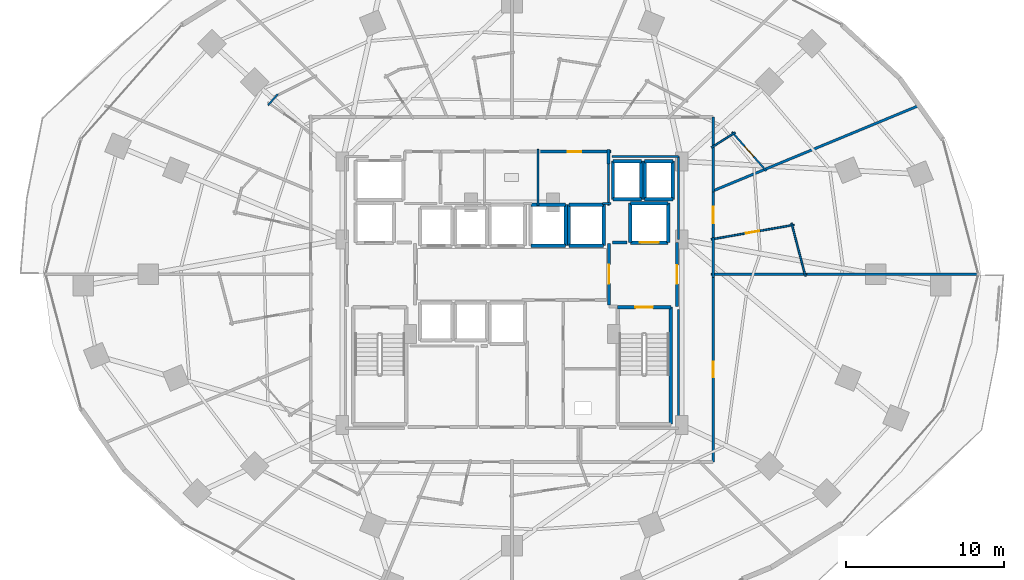
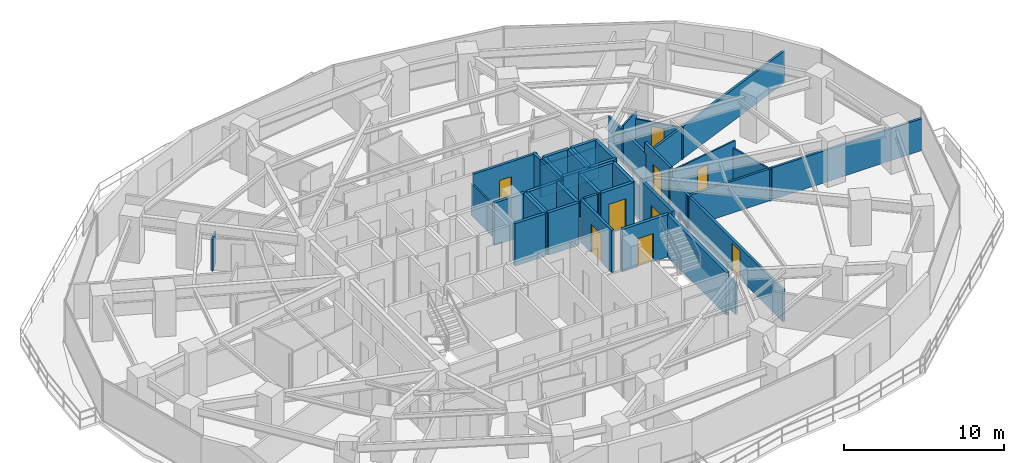
# One storey, part 30 of 36: 45 walls, 9 doors, 9 openings.
"""IFC4 building model written with IfcOpenShell, lengths in metres."""

import ifcopenshell
import ifcopenshell.guid

model = None  # the IFC model being written
_history = None  # IfcOwnerHistory: only IFC2X3 demands one
_inside = {}  # id of a spatial element -> (the spatial element, [elements in it])
_under = {}  # id of a project, library or spatial element -> (it, [spatial elements below it])
_declared = {}  # id of a project -> (the project, [libraries it declares])
_typed = {}  # id of a type object -> (the type object, [elements of that type])
_made_of = {}  # id of a material, layer set ... -> (it, [elements and type objects made of it])


def new_model(schema):
    """Start an empty IFC model of exactly this schema.

    Asked for "IFC4X3", IfcOpenShell would pick the latest addendum, in which some entities
    have other attributes; the version numbers below select the first issue.
    IFC2X3 requires an IfcOwnerHistory on every rooted entity: one is made here for all.
    """
    global model, _history
    if schema == "IFC4X3":
        model = ifcopenshell.file(schema_version=(4, 3, 0, 0))
    else:
        model = ifcopenshell.file(schema=schema)
    _inside.clear()
    _under.clear()
    _declared.clear()
    _typed.clear()
    _made_of.clear()
    _history = None
    if model.schema == "IFC2X3":
        org = make("IfcOrganization", Name="unknown")
        user = make(
            "IfcPersonAndOrganization",
            ThePerson=make("IfcPerson", FamilyName="unknown"),
            TheOrganization=org,
        )
        app = make(
            "IfcApplication",
            ApplicationDeveloper=org,
            Version="unknown",
            ApplicationFullName="unknown",
            ApplicationIdentifier="unknown",
        )
        _history = make(
            "IfcOwnerHistory",
            OwningUser=user,
            OwningApplication=app,
            ChangeAction="ADDED",
            CreationDate=0,
        )
    return model


def make(cls, **values):
    """One entity of the class cls with the attributes given. An attribute that is None is left unset."""
    return model.create_entity(
        cls, **{name: value for name, value in values.items() if value is not None}
    )


def rooted(cls, **values):
    """An entity with a GlobalId (a new one), such as an element, a storey or a relation."""
    return make(cls, GlobalId=ifcopenshell.guid.new(), OwnerHistory=_history, **values)


def si_unit(unit_type, name, prefix=None):
    """IfcSIUnit, for example si_unit("LENGTHUNIT", "METRE", prefix="MILLI")."""
    return make("IfcSIUnit", UnitType=unit_type, Prefix=prefix, Name=name)


def assignment(units):
    """IfcUnitAssignment: the units of a project."""
    return None if units is None else make("IfcUnitAssignment", Units=units)


def point(xyz):
    """IfcCartesianPoint."""
    return None if xyz is None else make("IfcCartesianPoint", Coordinates=xyz)


def direction(xyz):
    """IfcDirection."""
    return None if xyz is None else make("IfcDirection", DirectionRatios=xyz)


def frame(location, z_axis=None, x_axis=None):
    """IfcAxis2Placement3D, a coordinate frame: its origin and axes. An axis left out is left unset."""
    return make(
        "IfcAxis2Placement3D",
        Location=point(location),
        Axis=direction(z_axis),
        RefDirection=direction(x_axis),
    )


def frame_2d(location, x_axis=None):
    """IfcAxis2Placement2D, a coordinate frame in the plane: its origin and x axis."""
    return make(
        "IfcAxis2Placement2D", Location=point(location), RefDirection=direction(x_axis)
    )


def origin():
    """The frame at (0, 0, 0) with its axes left unset."""
    return frame((0.0, 0.0, 0.0))


def place(relative_to, where):
    """IfcLocalPlacement: puts the frame where relative to a parent placement (None: the world)."""
    return make(
        "IfcLocalPlacement", PlacementRelTo=relative_to, RelativePlacement=where
    )


def context(
    kind, dimensions, precision=None, world=None, true_north=None, identifier=None
):
    """IfcGeometricRepresentationContext, for example the 3D "Model" context."""
    return make(
        "IfcGeometricRepresentationContext",
        ContextIdentifier=identifier,
        ContextType=kind,
        CoordinateSpaceDimension=dimensions,
        Precision=precision,
        WorldCoordinateSystem=world,
        TrueNorth=true_north,
    )


def subcontext(parent, identifier, kind, view, scale=None):
    """IfcGeometricRepresentationSubContext, for example "Body" below "Model"."""
    return make(
        "IfcGeometricRepresentationSubContext",
        ContextIdentifier=identifier,
        ContextType=kind,
        ParentContext=parent,
        TargetScale=scale,
        TargetView=view,
    )


def project(units=None, contexts=None):
    """IfcProject with its units and contexts."""
    return rooted(
        "IfcProject",
        Name="project",
        RepresentationContexts=contexts,
        UnitsInContext=assignment(units),
    )


def spatial(cls, under=None, at=None, **own):
    """A site, building, storey or space (cls), placed at a placement, below another one or the project."""
    s = rooted(cls, ObjectPlacement=at, **own)
    if under is not None:
        _under.setdefault(under.id(), (under, []))[1].append(s)
    return s


def profile(cls, at=None, kind="AREA", **sizes):
    """A parametric profile (cls). Its sizes go by their IFC names, for example OverallWidth=200.0."""
    return make(cls, ProfileType=kind, Position=at, **sizes)


def rectangle(**sizes):
    """IfcRectangleProfileDef."""
    return profile("IfcRectangleProfileDef", **sizes)


def extrude(swept, where, along, depth):
    """IfcExtrudedAreaSolid: the profile swept, set in the frame where, extruded along a direction by depth."""
    return make(
        "IfcExtrudedAreaSolid",
        SweptArea=swept,
        Position=where,
        ExtrudedDirection=direction(along),
        Depth=depth,
    )


def shape(context_of_items, identifier, shape_type, items):
    """IfcShapeRepresentation: the items that make up one representation, for example the "Body"."""
    return make(
        "IfcShapeRepresentation",
        ContextOfItems=context_of_items,
        RepresentationIdentifier=identifier,
        RepresentationType=shape_type,
        Items=items,
    )


def material(Name=None, Category=None):
    """IfcMaterial."""
    return make("IfcMaterial", Name=Name, Category=Category)


def layer(
    of_material, thickness, ventilated=None, Name=None, Category=None, Priority=None
):
    """IfcMaterialLayer: one layer of a wall or slab, of a material (None: an air gap)."""
    return make(
        "IfcMaterialLayer",
        Material=of_material,
        LayerThickness=thickness,
        IsVentilated=ventilated,
        Name=Name,
        Category=Category,
        Priority=Priority,
    )


def layer_set(layers, Name=None):
    """IfcMaterialLayerSet."""
    return make("IfcMaterialLayerSet", MaterialLayers=layers, LayerSetName=Name)


def made_of(thing, what):
    """Note that an element or type object is made of a material, layer set ...; save() writes the relation."""
    if what is not None:
        _made_of.setdefault(what.id(), (what, []))[1].append(thing)
    return thing


def type_object(cls, material=None, **own):
    """A type object (cls), such as IfcWallType, which elements share."""
    return made_of(rooted(cls, **own), material)


def element(
    cls,
    number,
    at=None,
    inside=None,
    cuts=None,
    type_object=None,
    material=None,
    context=None,
    identifier="Body",
    shape_type=None,
    held_by="IfcProductDefinitionShape",
    body=None,
    shapes=None,
    **own,
):
    """One element of the class cls, such as IfcWall. Its Tag is "e" and its number.

    at: its placement. inside: the storey or other place that contains it. cuts: it is an
    opening in that element (IfcRelVoidsElement). A single representation is given by context,
    identifier, shape_type and body (its items); several are given by shapes. held_by: the class
    of the entity that holds the representations. save() writes the other relations.
    """
    e = rooted(cls, Tag="e%d" % number, ObjectPlacement=at, **own)
    if body is not None:
        shapes = [shape(context, identifier, shape_type, body)]
    if shapes is not None:
        e.Representation = make(held_by, Representations=shapes)
    if inside is not None:
        _inside.setdefault(inside.id(), (inside, []))[1].append(e)
    if cuts is not None:
        rooted(
            "IfcRelVoidsElement", RelatingBuildingElement=cuts, RelatedOpeningElement=e
        )
    if type_object is not None:
        _typed.setdefault(type_object.id(), (type_object, []))[1].append(e)
    return made_of(e, material)


def fill(opening, filler):
    """IfcRelFillsElement: the door or window that sits in an opening."""
    return rooted(
        "IfcRelFillsElement",
        RelatingOpeningElement=opening,
        RelatedBuildingElement=filler,
    )


def aggregate(whole, parts):
    """IfcRelAggregates: a whole, such as a stair, and the parts it consists of."""
    return rooted("IfcRelAggregates", RelatingObject=whole, RelatedObjects=parts)


def save(model, path):
    """Write the relations noted so far, then the file.

    IfcRelAggregates (storeys below a building ...), IfcRelContainedInSpatialStructure (elements
    in a storey), IfcRelDefinesByType, IfcRelAssociatesMaterial and IfcRelDeclares: one each for
    every whole, place, type object, material and project.
    """
    for whole, parts in _under.values():
        aggregate(whole, parts)
    for where, things in _inside.values():
        rooted(
            "IfcRelContainedInSpatialStructure",
            RelatedElements=things,
            RelatingStructure=where,
        )
    for kind, things in _typed.values():
        rooted("IfcRelDefinesByType", RelatedObjects=things, RelatingType=kind)
    for what, things in _made_of.values():
        rooted("IfcRelAssociatesMaterial", RelatedObjects=things, RelatingMaterial=what)
    for by, libraries in _declared.values():
        rooted("IfcRelDeclares", RelatingContext=by, RelatedDefinitions=libraries)
    model.write(path)


model = new_model("IFC4")

# Units and contexts
model_context = context("Model", 3, precision=1e-05, world=origin(), true_north=direction((0.0, 1.0)))
body_context = subcontext(model_context, "Body", "Model", "MODEL_VIEW")
ifc_project = project(units=[si_unit("LENGTHUNIT", "METRE"), si_unit("AREAUNIT", "SQUARE_METRE"), si_unit("VOLUMEUNIT", "CUBIC_METRE"), si_unit("PLANEANGLEUNIT", "RADIAN"), si_unit("MASSUNIT", "GRAM", prefix="KILO")], contexts=[model_context])

# Site, building, storey
site_placement = place(None, origin())
site = spatial("IfcSite", under=ifc_project, at=site_placement, CompositionType="ELEMENT")
building_placement = place(site_placement, origin())
building = spatial("IfcBuilding", under=site, at=building_placement, Name="Vorneva Point Tower", CompositionType="ELEMENT")
storey_placement = place(building_placement, frame((0.0, 0.0, 24.0)))
storey = spatial("IfcBuildingStorey", under=building, at=storey_placement, Name="L05", CompositionType="ELEMENT", Elevation=24.0)

# Wall, opening, door
ifc_material_1 = material(Name="Concrete B60 (C50/60)", Category="concrete")
ifc_layer_1 = layer(ifc_material_1, 0.5)
ifc_layer_set_1 = layer_set([ifc_layer_1], Name="Concrete B60 (C50/60)")
wall_type_1 = type_object("IfcWallType", Name="WL-CORE-500", PredefinedType="SHEAR", material=ifc_layer_set_1)
wall_1_placement = place(storey_placement, frame((45.5, 28.0, 0.0), z_axis=(0.0, 0.0, 1.0), x_axis=(1.0, 0.0, 0.0)))
wall_1 = element("IfcWall", 1, at=wall_1_placement, inside=storey, type_object=wall_type_1, Name="L05 Lift FFL2 Shaft Wall -Y", PredefinedType="SHEAR", context=body_context, shape_type="SweptSolid", body=[
    extrude(rectangle(XDim=2.39990234375, YDim=0.219970703125, at=frame_2d((1.199951171875, 0.0))), origin(), (0.0, 0.0, 1.0), 3.239990234375),
])
opening_1_placement = place(wall_1_placement, frame((0.60009765625, 0.0, 0.0)))
opening_1 = element("IfcOpeningElement", 2, at=opening_1_placement, cuts=wall_1, Name="Opening LD-02", PredefinedType="OPENING", context=body_context, shape_type="SweptSolid", body=[
    extrude(rectangle(XDim=1.199951171875, YDim=2.199951171875, at=frame_2d((0.60009765625, 1.10009765625))), frame((0.0, 0.125, 0.0), z_axis=(0.0, -1.0, 0.0), x_axis=(1.0, 0.0, 0.0)), (0.0, 0.0, 1.0), 0.249755859375),
])
ifc_material_2 = material(Name="Brushed stainless steel S304", Category="steel")
door_type_1 = type_object("IfcDoorType", Name="LD-FIRE-1200", OperationType="SLIDING_TO_LEFT", PredefinedType="DOOR", material=ifc_material_2)
door_1_placement = place(opening_1_placement, origin())
door_1 = element("IfcDoor", 3, at=door_1_placement, inside=storey, type_object=door_type_1, Name="L05 Lift FFL2 Sliding Landing Door", OperationType="SLIDING_TO_LEFT", OverallHeight=2.199951171875, OverallWidth=1.199951171875, PredefinedType="DOOR", context=body_context, shape_type="SweptSolid", body=[
    extrude(rectangle(XDim=1.199951171875, YDim=2.199951171875, at=frame_2d((0.60009765625, 1.10009765625))), frame((0.0, 0.02490234375, 0.0), z_axis=(0.0, -1.0, 0.0), x_axis=(1.0, 0.0, 0.0)), (0.0, 0.0, 1.0), 0.050048828125),
])
fill(opening_1, door_1)

# Walls
wall_2_placement = place(storey_placement, frame((47.89990234375, 28.0, 0.0), z_axis=(0.0, 0.0, 1.0), x_axis=(0.0, 1.0, 0.0)))
element("IfcWall", 4, at=wall_2_placement, inside=storey, type_object=wall_type_1, Name="L05 Lift FFL2 Shaft Wall +X", PredefinedType="SHEAR", context=body_context, shape_type="SweptSolid", body=[
    extrude(rectangle(XDim=2.5, YDim=0.219970703125, at=frame_2d((1.25, 0.0))), origin(), (0.0, 0.0, 1.0), 3.239990234375),
])
wall_3_placement = place(storey_placement, frame((47.89990234375, 30.5, 0.0), z_axis=(0.0, 0.0, 1.0), x_axis=(-1.0, 0.0, 0.0)))
element("IfcWall", 5, at=wall_3_placement, inside=storey, type_object=wall_type_1, Name="L05 Lift FFL2 Shaft Wall +Y", PredefinedType="SHEAR", context=body_context, shape_type="SweptSolid", body=[
    extrude(rectangle(XDim=2.39990234375, YDim=0.219970703125, at=frame_2d((1.199951171875, 0.0))), origin(), (0.0, 0.0, 1.0), 3.239990234375),
])
wall_4_placement = place(storey_placement, frame((45.5, 30.5, 0.0), z_axis=(0.0, 0.0, 1.0), x_axis=(0.0, -1.0, 0.0)))
element("IfcWall", 6, at=wall_4_placement, inside=storey, type_object=wall_type_1, Name="L05 Lift FFL2 Shaft Wall -X", PredefinedType="SHEAR", context=body_context, shape_type="SweptSolid", body=[
    extrude(rectangle(XDim=2.5, YDim=0.219970703125, at=frame_2d((1.25, 0.0))), origin(), (0.0, 0.0, 1.0), 3.239990234375),
])
ifc_material_3 = material(Name="Fire-rated acoustic gypsum stud partition", Category="gypsum")
ifc_layer_2 = layer(ifc_material_3, 0.110107421875)
ifc_layer_set_2 = layer_set([ifc_layer_2], Name="Fire-rated acoustic gypsum stud partition")
wall_type_2 = type_object("IfcWallType", Name="WL-PART-110", PredefinedType="PARTITIONING", material=ifc_layer_set_2)
wall_5_placement = place(storey_placement, frame((39.64990234375, 30.340087890625, 0.0), z_axis=(0.0, 0.0, 1.0), x_axis=(0.0, 1.0, 0.0)))
element("IfcWall", 7, at=wall_5_placement, inside=storey, type_object=wall_type_2, Name="L05 Interior Partition 019", PredefinedType="PARTITIONING", context=body_context, shape_type="SweptSolid", body=[
    extrude(rectangle(XDim=3.559814453125, YDim=0.110107421875, at=frame_2d((1.77978515625, 0.0))), origin(), (0.0, 0.0, 1.0), 2.431884765625),
])
wall_6_placement = place(storey_placement, frame((55.70947265625, 29.232421875, 0.0), z_axis=(0.0, 0.0, 1.0), x_axis=(0.254476045764, -0.967079077497, 0.0)))
element("IfcWall", 8, at=wall_6_placement, inside=storey, type_object=wall_type_2, Name="L05 Interior Partition 059", PredefinedType="PARTITIONING", context=body_context, shape_type="SweptSolid", body=[
    extrude(rectangle(XDim=3.482666015625, YDim=0.110107421875, at=frame_2d((1.7412109375, 0.0))), origin(), (0.0, 0.0, 1.0), 2.431884765625),
])

# Wall, opening, door
wall_7_placement = place(storey_placement, frame((50.612060546875, 28.200927734375, 0.0), z_axis=(0.0, 0.0, 1.0), x_axis=(0.985100697644, 0.171978532096, 0.0)))
wall_7 = element("IfcWall", 9, at=wall_7_placement, inside=storey, type_object=wall_type_2, Name="L05 Interior Partition 060", PredefinedType="PARTITIONING", context=body_context, shape_type="SweptSolid", body=[
    extrude(rectangle(XDim=5.3505859375, YDim=0.110107421875, at=frame_2d((2.67529296875, 0.0))), origin(), (0.0, 0.0, 1.0), 2.922119140625),
])
opening_2_placement = place(wall_7_placement, frame((2.250244140625, 0.0, 0.0)))
opening_2 = element("IfcOpeningElement", 10, at=opening_2_placement, cuts=wall_7, Name="Opening ID-02", PredefinedType="OPENING", context=body_context, shape_type="SweptSolid", body=[
    extrude(rectangle(XDim=0.85009765625, YDim=2.10009765625, at=frame_2d((0.425048828125, 1.050048828125))), frame((0.0, 0.06982421875, 0.0), z_axis=(0.0, -1.0, 0.0), x_axis=(1.0, 0.0, 0.0)), (0.0, 0.0, 1.0), 0.139892578125),
])
ifc_material_4 = material(Name="Engineered oak fire-rated door leaf", Category="wood")
door_type_2 = type_object("IfcDoorType", Name="DR-BATH-850", OperationType="NOTDEFINED", PredefinedType="DOOR", material=ifc_material_4)
door_2_placement = place(opening_2_placement, origin())
door_2 = element("IfcDoor", 11, at=door_2_placement, inside=storey, type_object=door_type_2, Name="L05 Door Junior Suite L05-01 / En-Suite Bathroom L05-01", OperationType="SINGLE_SWING_LEFT", OverallHeight=2.10009765625, OverallWidth=0.85009765625, PredefinedType="DOOR", context=body_context, shape_type="SweptSolid", body=[
    extrude(rectangle(XDim=0.85009765625, YDim=2.10009765625, at=frame_2d((0.425048828125, 1.050048828125))), frame((0.0, 0.02490234375, 0.0), z_axis=(0.0, -1.0, 0.0), x_axis=(1.0, 0.0, 0.0)), (0.0, 0.0, 1.0), 0.050048828125),
])
fill(opening_2, door_2)

wall_8_placement = place(storey_placement, frame((51.935302734375, 35.0068359375, 0.0), z_axis=(0.0, 0.0, 1.0), x_axis=(0.662059609276, -0.749451181709, 0.0)))
wall_8 = element("IfcWall", 12, at=wall_8_placement, inside=storey, type_object=wall_type_2, Name="L05 Interior Partition 064", PredefinedType="PARTITIONING", context=body_context, shape_type="SweptSolid", body=[
    extrude(rectangle(XDim=3.29931640625, YDim=0.110107421875, at=frame_2d((1.649658203125, 0.0))), origin(), (0.0, 0.0, 1.0), 2.431884765625),
])
opening_3_placement = place(wall_8_placement, frame((1.224609375, 0.0, 0.0)))
opening_3 = element("IfcOpeningElement", 13, at=opening_3_placement, cuts=wall_8, Name="Opening ID-02", PredefinedType="OPENING", context=body_context, shape_type="SweptSolid", body=[
    extrude(rectangle(XDim=0.85009765625, YDim=2.10009765625, at=frame_2d((0.425048828125, 1.050048828125))), frame((0.0, 0.06982421875, 0.0), z_axis=(0.0, -1.0, 0.0), x_axis=(1.0, 0.0, 0.0)), (0.0, 0.0, 1.0), 0.139892578125),
])
door_3_placement = place(opening_3_placement, origin())
door_3 = element("IfcDoor", 14, at=door_3_placement, inside=storey, type_object=door_type_2, Name="L05 Door Executive Suite L05-02 / En-Suite Bathroom L05-02", OperationType="SINGLE_SWING_RIGHT", OverallHeight=2.10009765625, OverallWidth=0.85009765625, PredefinedType="DOOR", context=body_context, shape_type="SweptSolid", body=[
    extrude(rectangle(XDim=0.85009765625, YDim=2.10009765625, at=frame_2d((0.425048828125, 1.050048828125))), frame((0.0, 0.02490234375, 0.0), z_axis=(0.0, -1.0, 0.0), x_axis=(1.0, 0.0, 0.0)), (0.0, 0.0, 1.0), 0.050048828125),
])
fill(opening_3, door_3)

# Walls
wall_9_placement = place(storey_placement, frame((50.6318359375, 34.01611328125, 0.0), z_axis=(0.0, 0.0, 1.0), x_axis=(0.844361394482, 0.535774052665, 0.0)))
element("IfcWall", 15, at=wall_9_placement, inside=storey, type_object=wall_type_2, Name="L05 Interior Partition 065", PredefinedType="PARTITIONING", context=body_context, shape_type="SweptSolid", body=[
    extrude(rectangle(XDim=1.79345703125, YDim=0.110107421875, at=frame_2d((0.896728515625, 0.0))), origin(), (0.0, 0.0, 1.0), 2.922119140625),
])
wall_10_placement = place(storey_placement, frame((22.538330078125, 36.697021484375, 0.0), z_axis=(0.0, 0.0, 1.0), x_axis=(0.662242037053, 0.749289986827, 0.0)))
element("IfcWall", 16, at=wall_10_placement, inside=storey, type_object=wall_type_2, Name="L05 Interior Partition 083", PredefinedType="PARTITIONING", context=body_context, shape_type="SweptSolid", body=[
    extrude(rectangle(XDim=0.936767578125, YDim=0.110107421875, at=frame_2d((0.46826171875, 0.0))), origin(), (0.0, 0.0, 1.0), 2.431884765625),
])
ifc_layer_3 = layer(ifc_material_3, 0.139892578125)
ifc_layer_set_3 = layer_set([ifc_layer_3], Name="Fire-rated acoustic gypsum stud partition")
wall_type_3 = type_object("IfcWallType", Name="WL-PART-140", PredefinedType="PARTITIONING", material=ifc_layer_set_3)
wall_11_placement = place(storey_placement, frame((43.735107421875, 30.47998046875, 0.0), z_axis=(0.0, 0.0, 1.0), x_axis=(1.0, 0.0, 0.0)))
element("IfcWall", 17, at=wall_11_placement, inside=storey, type_object=wall_type_3, Name="L05 Interior Closure Partition 115", PredefinedType="PARTITIONING", context=body_context, shape_type="SweptSolid", body=[
    extrude(rectangle(XDim=0.52490234375, YDim=0.139892578125, at=frame_2d((0.262451171875, 0.0))), origin(), (0.0, 0.0, 1.0), 3.239990234375),
])
wall_12_placement = place(storey_placement, frame((44.1201171875, 30.340087890625, 0.0), z_axis=(0.0, 0.0, 1.0), x_axis=(0.0, 1.0, 0.0)))
element("IfcWall", 18, at=wall_12_placement, inside=storey, type_object=wall_type_3, Name="L05 Interior Closure Partition 116", PredefinedType="PARTITIONING", context=body_context, shape_type="SweptSolid", body=[
    extrude(rectangle(XDim=2.659912109375, YDim=0.139892578125, at=frame_2d((1.330078125, 0.0))), origin(), (0.0, 0.0, 1.0), 3.239990234375),
])
wall_13_placement = place(storey_placement, frame((44.340087890625, 33.449951171875, 0.0), z_axis=(0.0, 0.0, 1.0), x_axis=(1.0, 0.0, 0.0)))
element("IfcWall", 19, at=wall_13_placement, inside=storey, type_object=wall_type_3, Name="L05 Interior Closure Partition 119", PredefinedType="PARTITIONING", context=body_context, shape_type="SweptSolid", body=[
    extrude(rectangle(XDim=4.2099609375, YDim=0.139892578125, at=frame_2d((2.10498046875, 0.0))), origin(), (0.0, 0.0, 1.0), 2.431884765625),
])
wall_14_placement = place(storey_placement, frame((48.550048828125, 33.449951171875, 0.0), z_axis=(0.0, 0.0, 1.0), x_axis=(0.0, -1.0, 0.0)))
element("IfcWall", 20, at=wall_14_placement, inside=storey, type_object=wall_type_3, Name="L05 Interior Closure Partition 120", PredefinedType="PARTITIONING", context=body_context, shape_type="SweptSolid", body=[
    extrude(rectangle(XDim=5.25390625, YDim=0.139892578125, at=frame_2d((2.626953125, 0.0))), origin(), (0.0, 0.0, 1.0), 2.431884765625),
])
wall_15_placement = place(storey_placement, frame((48.550048828125, 23.75390625, 0.0), z_axis=(0.0, 0.0, 1.0), x_axis=(0.0, -1.0, 0.0)))
element("IfcWall", 21, at=wall_15_placement, inside=storey, type_object=wall_type_3, Name="L05 Interior Closure Partition 121", PredefinedType="PARTITIONING", context=body_context, shape_type="SweptSolid", body=[
    extrude(rectangle(XDim=7.513916015625, YDim=0.139892578125, at=frame_2d((3.7568359375, 0.0))), origin(), (0.0, 0.0, 1.0), 2.431884765625),
])
ifc_layer_4 = layer(ifc_material_3, 0.159912109375)
ifc_layer_set_4 = layer_set([ifc_layer_4], Name="Fire-rated acoustic gypsum stud partition")
wall_type_4 = type_object("IfcWallType", Name="WL-PART-160", PredefinedType="PARTITIONING", material=ifc_layer_set_4)
wall_16_placement = place(storey_placement, frame((63.79296875, 36.68408203125, 0.0), z_axis=(0.0, 0.0, 1.0), x_axis=(-0.923866969846, -0.382713759914, 0.0)))
element("IfcWall", 22, at=wall_16_placement, inside=storey, type_object=wall_type_4, Name="L05 Interior Partition 061", PredefinedType="PARTITIONING", context=body_context, shape_type="SweptSolid", body=[
    extrude(rectangle(XDim=14.117919921875, YDim=0.159912109375, at=frame_2d((7.05908203125, 0.0))), origin(), (0.0, 0.0, 1.0), 2.431884765625),
])
wall_17_placement = place(storey_placement, frame((56.56005859375, 26.0, 0.0), z_axis=(0.0, 0.0, 1.0), x_axis=(1.0, 0.0, 0.0)))
element("IfcWall", 23, at=wall_17_placement, inside=storey, type_object=wall_type_4, Name="L05 Interior Partition 062", PredefinedType="PARTITIONING", context=body_context, shape_type="SweptSolid", body=[
    extrude(rectangle(XDim=10.989013671875, YDim=0.159912109375, at=frame_2d((5.49462890625, 0.0))), origin(), (0.0, 0.0, 1.0), 2.431884765625),
])
wall_18_placement = place(storey_placement, frame((50.610107421875, 26.0, 0.0), z_axis=(0.0, 0.0, 1.0), x_axis=(1.0, 0.0, 0.0)))
element("IfcWall", 24, at=wall_18_placement, inside=storey, type_object=wall_type_4, Name="L05 Interior Partition 063", PredefinedType="PARTITIONING", context=body_context, shape_type="SweptSolid", body=[
    extrude(rectangle(XDim=6.08984375, YDim=0.159912109375, at=frame_2d((3.044921875, 0.0))), origin(), (0.0, 0.0, 1.0), 2.431884765625),
])

# Wall, opening, door
ifc_material_5 = material(Name="Autoclaved aerated concrete blockwork", Category="masonry")
ifc_layer_5 = layer(ifc_material_5, 0.179931640625)
ifc_layer_set_5 = layer_set([ifc_layer_5], Name="Autoclaved aerated concrete blockwork")
wall_type_5 = type_object("IfcWallType", Name="WL-PART-180", PredefinedType="PARTITIONING", material=ifc_layer_set_5)
wall_19_placement = place(storey_placement, frame((44.14990234375, 27.955078125, 0.0), z_axis=(0.0, 0.0, 1.0), x_axis=(0.0, -1.0, 0.0)))
wall_19 = element("IfcWall", 25, at=wall_19_placement, inside=storey, type_object=wall_type_5, Name="L05 Interior Partition 003", PredefinedType="PARTITIONING", context=body_context, shape_type="SweptSolid", body=[
    extrude(rectangle(XDim=3.91015625, YDim=0.179931640625, at=frame_2d((1.955078125, 0.0))), origin(), (0.0, 0.0, 1.0), 3.239990234375),
])
opening_4_placement = place(wall_19_placement, frame((1.35498046875, 0.0, 0.0)))
opening_4 = element("IfcOpeningElement", 26, at=opening_4_placement, cuts=wall_19, Name="Opening FD-02", PredefinedType="OPENING", context=body_context, shape_type="SweptSolid", body=[
    extrude(rectangle(XDim=1.199951171875, YDim=2.14990234375, at=frame_2d((0.60009765625, 1.074951171875))), frame((0.0, 0.10498046875, 0.0), z_axis=(0.0, -1.0, 0.0), x_axis=(1.0, 0.0, 0.0)), (0.0, 0.0, 1.0), 0.209716796875),
])
ifc_material_6 = material(Name="Fire-rated powder-coated steel", Category="steel")
door_type_3 = type_object("IfcDoorType", Name="DR-FFL-1200", OperationType="NOTDEFINED", PredefinedType="DOOR", material=ifc_material_6)
door_4_placement = place(opening_4_placement, origin())
door_4 = element("IfcDoor", 27, at=door_4_placement, inside=storey, type_object=door_type_3, Name="L05 Door East Firefighting Lobby / Central Lift Lobby", OperationType="SINGLE_SWING_LEFT", OverallHeight=2.14990234375, OverallWidth=1.199951171875, PredefinedType="DOOR", context=body_context, shape_type="SweptSolid", body=[
    extrude(rectangle(XDim=1.199951171875, YDim=2.14990234375, at=frame_2d((0.60009765625, 1.074951171875))), frame((0.0, 0.02490234375, 0.0), z_axis=(0.0, -1.0, 0.0), x_axis=(1.0, 0.0, 0.0)), (0.0, 0.0, 1.0), 0.050048828125),
])
fill(opening_4, door_4)

wall_20_placement = place(storey_placement, frame((48.449951171875, 23.949951171875, 0.0), z_axis=(0.0, 0.0, 1.0), x_axis=(0.0, 1.0, 0.0)))
wall_20 = element("IfcWall", 28, at=wall_20_placement, inside=storey, type_object=wall_type_5, Name="L05 Interior Partition 005", PredefinedType="PARTITIONING", context=body_context, shape_type="SweptSolid", body=[
    extrude(rectangle(XDim=4.050048828125, YDim=0.179931640625, at=frame_2d((2.02490234375, 0.0))), origin(), (0.0, 0.0, 1.0), 3.239990234375),
])
opening_5_placement = place(wall_20_placement, frame((1.425048828125, 0.0, 0.0)))
opening_5 = element("IfcOpeningElement", 29, at=opening_5_placement, cuts=wall_20, Name="Opening FD-02", PredefinedType="OPENING", context=body_context, shape_type="SweptSolid", body=[
    extrude(rectangle(XDim=1.199951171875, YDim=2.14990234375, at=frame_2d((0.60009765625, 1.074951171875))), frame((0.0, 0.10498046875, 0.0), z_axis=(0.0, -1.0, 0.0), x_axis=(1.0, 0.0, 0.0)), (0.0, 0.0, 1.0), 0.209716796875),
])
door_5_placement = place(opening_5_placement, origin())
door_5 = element("IfcDoor", 30, at=door_5_placement, inside=storey, type_object=door_type_3, Name="L05 Door East Firefighting Lobby / L05 Circulation Corridor", OperationType="SINGLE_SWING_LEFT", OverallHeight=2.14990234375, OverallWidth=1.199951171875, PredefinedType="DOOR", context=body_context, shape_type="SweptSolid", body=[
    extrude(rectangle(XDim=1.199951171875, YDim=2.14990234375, at=frame_2d((0.60009765625, 1.074951171875))), frame((0.0, 0.02490234375, 0.0), z_axis=(0.0, -1.0, 0.0), x_axis=(1.0, 0.0, 0.0)), (0.0, 0.0, 1.0), 0.050048828125),
])
fill(opening_5, door_5)

wall_21_placement = place(storey_placement, frame((44.260009765625, 33.760009765625, 0.0), z_axis=(0.0, 0.0, 1.0), x_axis=(-1.0, 0.0, 0.0)))
wall_21 = element("IfcWall", 31, at=wall_21_placement, inside=storey, type_object=wall_type_5, Name="L05 Interior Partition 021", PredefinedType="PARTITIONING", context=body_context, shape_type="SweptSolid", body=[
    extrude(rectangle(XDim=4.610107421875, YDim=0.179931640625, at=frame_2d((2.30517578125, 0.0))), origin(), (0.0, 0.0, 1.0), 3.239990234375),
])
opening_6_placement = place(wall_21_placement, frame((1.8798828125, 0.0, 0.0)))
opening_6 = element("IfcOpeningElement", 32, at=opening_6_placement, cuts=wall_21, Name="Opening ID-02", PredefinedType="OPENING", context=body_context, shape_type="SweptSolid", body=[
    extrude(rectangle(XDim=0.85009765625, YDim=2.10009765625, at=frame_2d((0.425048828125, 1.050048828125))), frame((0.0, 0.10498046875, 0.0), z_axis=(0.0, -1.0, 0.0), x_axis=(1.0, 0.0, 0.0)), (0.0, 0.0, 1.0), 0.209716796875),
])
door_6_placement = place(opening_6_placement, origin())
door_6 = element("IfcDoor", 33, at=door_6_placement, inside=storey, type_object=door_type_2, Name="L05 Door Public WC / L05 Circulation Corridor", OperationType="SINGLE_SWING_RIGHT", OverallHeight=2.10009765625, OverallWidth=0.85009765625, PredefinedType="DOOR", context=body_context, shape_type="SweptSolid", body=[
    extrude(rectangle(XDim=0.85009765625, YDim=2.10009765625, at=frame_2d((0.425048828125, 1.050048828125))), frame((0.0, 0.02490234375, 0.0), z_axis=(0.0, -1.0, 0.0), x_axis=(1.0, 0.0, 0.0)), (0.0, 0.0, 1.0), 0.050048828125),
])
fill(opening_6, door_6)

# Wall
wall_22_placement = place(storey_placement, frame((44.1201171875, 32.969970703125, 0.0), z_axis=(0.0, 0.0, 1.0), x_axis=(0.0, 1.0, 0.0)))
element("IfcWall", 34, at=wall_22_placement, inside=storey, type_object=wall_type_5, Name="L05 Interior Partition 022", PredefinedType="PARTITIONING", context=body_context, shape_type="SweptSolid", body=[
    extrude(rectangle(XDim=0.929931640625, YDim=0.179931640625, at=frame_2d((0.46484375, 0.0))), origin(), (0.0, 0.0, 1.0), 3.239990234375),
])

# Wall, opening, door
wall_23_placement = place(storey_placement, frame((50.75, 28.1650390625, 0.0), z_axis=(0.0, 0.0, 1.0), x_axis=(0.0, 1.0, 0.0)))
wall_23 = element("IfcWall", 35, at=wall_23_placement, inside=storey, type_object=wall_type_5, Name="L05 Interior Partition 026", PredefinedType="PARTITIONING", context=body_context, shape_type="SweptSolid", body=[
    extrude(rectangle(XDim=3.180908203125, YDim=0.179931640625, at=frame_2d((1.59033203125, 0.0))), origin(), (0.0, 0.0, 1.0), 3.239990234375),
])
opening_7_placement = place(wall_23_placement, frame((1.0654296875, 0.0, 0.0)))
opening_7 = element("IfcOpeningElement", 36, at=opening_7_placement, cuts=wall_23, Name="Opening UD-02", PredefinedType="OPENING", context=body_context, shape_type="SweptSolid", body=[
    extrude(rectangle(XDim=1.050048828125, YDim=2.199951171875, at=frame_2d((0.52490234375, 1.10009765625))), frame((0.0, 0.10498046875, 0.0), z_axis=(0.0, -1.0, 0.0), x_axis=(1.0, 0.0, 0.0)), (0.0, 0.0, 1.0), 0.209716796875),
])
door_type_4 = type_object("IfcDoorType", Name="DR-SUITE-1050", OperationType="NOTDEFINED", PredefinedType="DOOR", material=ifc_material_4)
door_7_placement = place(opening_7_placement, origin())
door_7 = element("IfcDoor", 37, at=door_7_placement, inside=storey, type_object=door_type_4, Name="L05 Door L05 Circulation Corridor / Junior Suite L05-01", OperationType="SINGLE_SWING_LEFT", OverallHeight=2.199951171875, OverallWidth=1.050048828125, PredefinedType="DOOR", context=body_context, shape_type="SweptSolid", body=[
    extrude(rectangle(XDim=1.050048828125, YDim=2.199951171875, at=frame_2d((0.52490234375, 1.10009765625))), frame((0.0, 0.02490234375, 0.0), z_axis=(0.0, -1.0, 0.0), x_axis=(1.0, 0.0, 0.0)), (0.0, 0.0, 1.0), 0.050048828125),
])
fill(opening_7, door_7)

# Walls
wall_24_placement = place(storey_placement, frame((50.75, 25.800048828125, 0.0), z_axis=(0.0, 0.0, 1.0), x_axis=(0.0, 1.0, 0.0)))
element("IfcWall", 38, at=wall_24_placement, inside=storey, type_object=wall_type_5, Name="L05 Interior Partition 027", PredefinedType="PARTITIONING", context=body_context, shape_type="SweptSolid", body=[
    extrude(rectangle(XDim=2.5048828125, YDim=0.179931640625, at=frame_2d((1.25244140625, 0.0))), origin(), (0.0, 0.0, 1.0), 2.431884765625),
])
wall_25_placement = place(storey_placement, frame((50.75, 34.031005859375, 0.0), z_axis=(0.0, 0.0, 1.0), x_axis=(0.0, 1.0, 0.0)))
element("IfcWall", 39, at=wall_25_placement, inside=storey, type_object=wall_type_5, Name="L05 Interior Partition 028", PredefinedType="PARTITIONING", context=body_context, shape_type="SweptSolid", body=[
    extrude(rectangle(XDim=1.9189453125, YDim=0.179931640625, at=frame_2d((0.95947265625, 0.0))), origin(), (0.0, 0.0, 1.0), 2.431884765625),
])
wall_26_placement = place(storey_placement, frame((50.75, 31.2060546875, 0.0), z_axis=(0.0, 0.0, 1.0), x_axis=(0.0, 1.0, 0.0)))
element("IfcWall", 40, at=wall_26_placement, inside=storey, type_object=wall_type_5, Name="L05 Interior Partition 030", PredefinedType="PARTITIONING", context=body_context, shape_type="SweptSolid", body=[
    extrude(rectangle(XDim=2.96484375, YDim=0.179931640625, at=frame_2d((1.482421875, 0.0))), origin(), (0.0, 0.0, 1.0), 2.431884765625),
])

# Wall, opening, door
wall_27_placement = place(storey_placement, frame((50.75, 14.10009765625, 0.0), z_axis=(0.0, 0.0, 1.0), x_axis=(0.0, 1.0, 0.0)))
wall_27 = element("IfcWall", 41, at=wall_27_placement, inside=storey, type_object=wall_type_5, Name="L05 Interior Partition 058", PredefinedType="PARTITIONING", context=body_context, shape_type="SweptSolid", body=[
    extrude(rectangle(XDim=11.699951171875, YDim=0.179931640625, at=frame_2d((5.85009765625, 0.0))), origin(), (0.0, 0.0, 1.0), 2.431884765625),
])
opening_8_placement = place(wall_27_placement, frame((5.35009765625, 0.0, 0.0)))
opening_8 = element("IfcOpeningElement", 42, at=opening_8_placement, cuts=wall_27, Name="Opening UD-01", PredefinedType="OPENING", context=body_context, shape_type="SweptSolid", body=[
    extrude(rectangle(XDim=1.0, YDim=2.14990234375, at=frame_2d((0.5, 1.074951171875))), frame((0.0, 0.10498046875, 0.0), z_axis=(0.0, -1.0, 0.0), x_axis=(1.0, 0.0, 0.0)), (0.0, 0.0, 1.0), 0.209716796875),
])
door_type_5 = type_object("IfcDoorType", Name="DR-UNIT-1000", OperationType="NOTDEFINED", PredefinedType="DOOR", material=ifc_material_4)
door_8_placement = place(opening_8_placement, origin())
door_8 = element("IfcDoor", 43, at=door_8_placement, inside=storey, type_object=door_type_5, Name="L05 Door L05 Circulation Corridor / Hotel Club Lounge L05-14", OperationType="SINGLE_SWING_RIGHT", OverallHeight=2.14990234375, OverallWidth=1.0, PredefinedType="DOOR", context=body_context, shape_type="SweptSolid", body=[
    extrude(rectangle(XDim=1.0, YDim=2.14990234375, at=frame_2d((0.5, 1.074951171875))), frame((0.0, 0.02490234375, 0.0), z_axis=(0.0, -1.0, 0.0), x_axis=(1.0, 0.0, 0.0)), (0.0, 0.0, 1.0), 0.050048828125),
])
fill(opening_8, door_8)

# Wall
wall_28_placement = place(storey_placement, frame((45.280029296875, 28.0, 0.0), z_axis=(0.0, 0.0, 1.0), x_axis=(-1.0, 0.0, 0.0)))
element("IfcWall", 44, at=wall_28_placement, inside=storey, type_object=wall_type_5, Name="L05 Interior Closure Partition 110", PredefinedType="PARTITIONING", context=body_context, shape_type="SweptSolid", body=[
    extrude(rectangle(XDim=0.9150390625, YDim=0.179931640625, at=frame_2d((0.45751953125, 0.0))), origin(), (0.0, 0.0, 1.0), 3.239990234375),
])

# Wall, opening, door
ifc_material_7 = material(Name="Concrete B50 (C40/50)", Category="concrete")
ifc_layer_6 = layer(ifc_material_7, 0.219970703125)
ifc_layer_set_6 = layer_set([ifc_layer_6], Name="Concrete B50 (C40/50)")
wall_type_6 = type_object("IfcWallType", Name="WL-SHFT-220", PredefinedType="SOLIDWALL", material=ifc_layer_set_6)
wall_29_placement = place(storey_placement, frame((44.68994140625, 23.909912109375, 0.0), z_axis=(0.0, 0.0, 1.0), x_axis=(1.0, 0.0, 0.0)))
wall_29 = element("IfcWall", 45, at=wall_29_placement, inside=storey, type_object=wall_type_6, Name="L05 Exit Stair ST2 Shaft Wall near", PredefinedType="SOLIDWALL", context=body_context, shape_type="SweptSolid", body=[
    extrude(rectangle(XDim=3.3701171875, YDim=0.219970703125, at=frame_2d((1.68505859375, 0.0))), origin(), (0.0, 0.0, 1.0), 3.239990234375),
])
opening_9_placement = place(wall_29_placement, frame((1.135009765625, 0.0, 0.0)))
opening_9 = element("IfcOpeningElement", 46, at=opening_9_placement, cuts=wall_29, Name="Opening FD-01", PredefinedType="OPENING", context=body_context, shape_type="SweptSolid", body=[
    extrude(rectangle(XDim=1.10009765625, YDim=2.14990234375, at=frame_2d((0.550048828125, 1.074951171875))), frame((0.0, 0.125, 0.0), z_axis=(0.0, -1.0, 0.0), x_axis=(1.0, 0.0, 0.0)), (0.0, 0.0, 1.0), 0.249755859375),
])
door_type_6 = type_object("IfcDoorType", Name="DR-STAIR-1100", OperationType="NOTDEFINED", PredefinedType="DOOR", material=ifc_material_6)
door_9_placement = place(opening_9_placement, origin())
door_9 = element("IfcDoor", 47, at=door_9_placement, inside=storey, type_object=door_type_6, Name="L05 Exit Stair ST2 Fire Door", OperationType="SINGLE_SWING_RIGHT", OverallHeight=2.14990234375, OverallWidth=1.10009765625, PredefinedType="DOOR", context=body_context, shape_type="SweptSolid", body=[
    extrude(rectangle(XDim=1.10009765625, YDim=2.14990234375, at=frame_2d((0.550048828125, 1.074951171875))), frame((0.0, 0.02490234375, 0.0), z_axis=(0.0, -1.0, 0.0), x_axis=(1.0, 0.0, 0.0)), (0.0, 0.0, 1.0), 0.050048828125),
])
fill(opening_9, door_9)

# Walls
wall_30_placement = place(storey_placement, frame((48.06005859375, 23.909912109375, 0.0), z_axis=(0.0, 0.0, 1.0), x_axis=(0.0, -1.0, 0.0)))
element("IfcWall", 48, at=wall_30_placement, inside=storey, type_object=wall_type_6, Name="L05 Exit Stair ST2 Shaft Wall right", PredefinedType="SOLIDWALL", context=body_context, shape_type="SweptSolid", body=[
    extrude(rectangle(XDim=7.419921875, YDim=0.219970703125, at=frame_2d((3.7099609375, 0.0))), origin(), (0.0, 0.0, 1.0), 3.239990234375),
])
wall_31_placement = place(storey_placement, frame((39.199951171875, 27.800048828125, 0.0), z_axis=(0.0, 0.0, 1.0), x_axis=(1.0, 0.0, 0.0)))
element("IfcWall", 49, at=wall_31_placement, inside=storey, type_object=wall_type_6, Name="L05 Lift PL7 Shaft Wall -Y", PredefinedType="SOLIDWALL", context=body_context, shape_type="SweptSolid", body=[
    extrude(rectangle(XDim=2.199951171875, YDim=0.219970703125, at=frame_2d((1.10009765625, 0.0))), origin(), (0.0, 0.0, 1.0), 3.239990234375),
])
wall_32_placement = place(storey_placement, frame((41.39990234375, 27.800048828125, 0.0), z_axis=(0.0, 0.0, 1.0), x_axis=(0.0, 1.0, 0.0)))
element("IfcWall", 50, at=wall_32_placement, inside=storey, type_object=wall_type_6, Name="L05 Lift PL7 Shaft Wall +X", PredefinedType="SOLIDWALL", context=body_context, shape_type="SweptSolid", body=[
    extrude(rectangle(XDim=2.599853515625, YDim=0.219970703125, at=frame_2d((1.2998046875, 0.0))), origin(), (0.0, 0.0, 1.0), 3.239990234375),
])
for number, where, z_axis, x_axis, name in (
    (51, (41.39990234375, 30.39990234375, 0.0), (0.0, 0.0, 1.0), (-1.0, 0.0, 0.0), "L05 Lift PL7 Shaft Wall +Y"),
    (52, (41.60009765625, 27.800048828125, 0.0), (0.0, 0.0, 1.0), (1.0, 0.0, 0.0), "L05 Lift PL8 Shaft Wall -Y"),
):
    element("IfcWall", number, at=place(storey_placement, frame(where, z_axis=z_axis, x_axis=x_axis)), inside=storey, type_object=wall_type_6, Name=name, PredefinedType="SOLIDWALL", context=body_context, shape_type="SweptSolid", body=[
        extrude(rectangle(XDim=2.199951171875, YDim=0.219970703125, at=frame_2d((1.10009765625, 0.0))), origin(), (0.0, 0.0, 1.0), 3.239990234375),
    ])
wall_33_placement = place(storey_placement, frame((43.800048828125, 27.800048828125, 0.0), z_axis=(0.0, 0.0, 1.0), x_axis=(0.0, 1.0, 0.0)))
element("IfcWall", 53, at=wall_33_placement, inside=storey, type_object=wall_type_6, Name="L05 Lift PL8 Shaft Wall +X", PredefinedType="SOLIDWALL", context=body_context, shape_type="SweptSolid", body=[
    extrude(rectangle(XDim=2.599853515625, YDim=0.219970703125, at=frame_2d((1.2998046875, 0.0))), origin(), (0.0, 0.0, 1.0), 3.239990234375),
])
wall_34_placement = place(storey_placement, frame((43.800048828125, 30.39990234375, 0.0), z_axis=(0.0, 0.0, 1.0), x_axis=(-1.0, 0.0, 0.0)))
element("IfcWall", 54, at=wall_34_placement, inside=storey, type_object=wall_type_6, Name="L05 Lift PL8 Shaft Wall +Y", PredefinedType="SOLIDWALL", context=body_context, shape_type="SweptSolid", body=[
    extrude(rectangle(XDim=2.199951171875, YDim=0.219970703125, at=frame_2d((1.10009765625, 0.0))), origin(), (0.0, 0.0, 1.0), 3.239990234375),
])
wall_35_placement = place(storey_placement, frame((41.60009765625, 30.39990234375, 0.0), z_axis=(0.0, 0.0, 1.0), x_axis=(0.0, -1.0, 0.0)))
element("IfcWall", 55, at=wall_35_placement, inside=storey, type_object=wall_type_6, Name="L05 Lift PL8 Shaft Wall -X", PredefinedType="SOLIDWALL", context=body_context, shape_type="SweptSolid", body=[
    extrude(rectangle(XDim=2.599853515625, YDim=0.219970703125, at=frame_2d((1.2998046875, 0.0))), origin(), (0.0, 0.0, 1.0), 3.239990234375),
])
wall_36_placement = place(storey_placement, frame((44.39990234375, 30.739990234375, 0.0), z_axis=(0.0, 0.0, 1.0), x_axis=(1.0, 0.0, 0.0)))
element("IfcWall", 56, at=wall_36_placement, inside=storey, type_object=wall_type_6, Name="L05 Lift EX1 Shaft Wall -Y", PredefinedType="SOLIDWALL", context=body_context, shape_type="SweptSolid", body=[
    extrude(rectangle(XDim=1.800048828125, YDim=0.219970703125, at=frame_2d((0.89990234375, 0.0))), origin(), (0.0, 0.0, 1.0), 3.239990234375),
])
wall_37_placement = place(storey_placement, frame((46.199951171875, 30.739990234375, 0.0), z_axis=(0.0, 0.0, 1.0), x_axis=(0.0, 1.0, 0.0)))
element("IfcWall", 57, at=wall_37_placement, inside=storey, type_object=wall_type_6, Name="L05 Lift EX1 Shaft Wall +X", PredefinedType="SOLIDWALL", context=body_context, shape_type="SweptSolid", body=[
    extrude(rectangle(XDim=2.419921875, YDim=0.219970703125, at=frame_2d((1.2099609375, 0.0))), origin(), (0.0, 0.0, 1.0), 3.239990234375),
])
wall_38_placement = place(storey_placement, frame((46.199951171875, 33.159912109375, 0.0), z_axis=(0.0, 0.0, 1.0), x_axis=(-1.0, 0.0, 0.0)))
element("IfcWall", 58, at=wall_38_placement, inside=storey, type_object=wall_type_6, Name="L05 Lift EX1 Shaft Wall +Y", PredefinedType="SOLIDWALL", context=body_context, shape_type="SweptSolid", body=[
    extrude(rectangle(XDim=1.800048828125, YDim=0.219970703125, at=frame_2d((0.89990234375, 0.0))), origin(), (0.0, 0.0, 1.0), 3.239990234375),
])
wall_39_placement = place(storey_placement, frame((44.39990234375, 33.159912109375, 0.0), z_axis=(0.0, 0.0, 1.0), x_axis=(0.0, -1.0, 0.0)))
element("IfcWall", 59, at=wall_39_placement, inside=storey, type_object=wall_type_6, Name="L05 Lift EX1 Shaft Wall -X", PredefinedType="SOLIDWALL", context=body_context, shape_type="SweptSolid", body=[
    extrude(rectangle(XDim=2.419921875, YDim=0.219970703125, at=frame_2d((1.2099609375, 0.0))), origin(), (0.0, 0.0, 1.0), 3.239990234375),
])
wall_40_placement = place(storey_placement, frame((46.39990234375, 30.739990234375, 0.0), z_axis=(0.0, 0.0, 1.0), x_axis=(1.0, 0.0, 0.0)))
element("IfcWall", 60, at=wall_40_placement, inside=storey, type_object=wall_type_6, Name="L05 Lift EX2 Shaft Wall -Y", PredefinedType="SOLIDWALL", context=body_context, shape_type="SweptSolid", body=[
    extrude(rectangle(XDim=1.800048828125, YDim=0.219970703125, at=frame_2d((0.89990234375, 0.0))), origin(), (0.0, 0.0, 1.0), 3.239990234375),
])
wall_41_placement = place(storey_placement, frame((48.199951171875, 30.739990234375, 0.0), z_axis=(0.0, 0.0, 1.0), x_axis=(0.0, 1.0, 0.0)))
element("IfcWall", 61, at=wall_41_placement, inside=storey, type_object=wall_type_6, Name="L05 Lift EX2 Shaft Wall +X", PredefinedType="SOLIDWALL", context=body_context, shape_type="SweptSolid", body=[
    extrude(rectangle(XDim=2.419921875, YDim=0.219970703125, at=frame_2d((1.2099609375, 0.0))), origin(), (0.0, 0.0, 1.0), 3.239990234375),
])
wall_42_placement = place(storey_placement, frame((48.199951171875, 33.159912109375, 0.0), z_axis=(0.0, 0.0, 1.0), x_axis=(-1.0, 0.0, 0.0)))
element("IfcWall", 62, at=wall_42_placement, inside=storey, type_object=wall_type_6, Name="L05 Lift EX2 Shaft Wall +Y", PredefinedType="SOLIDWALL", context=body_context, shape_type="SweptSolid", body=[
    extrude(rectangle(XDim=1.800048828125, YDim=0.219970703125, at=frame_2d((0.89990234375, 0.0))), origin(), (0.0, 0.0, 1.0), 3.239990234375),
])
wall_43_placement = place(storey_placement, frame((46.39990234375, 33.159912109375, 0.0), z_axis=(0.0, 0.0, 1.0), x_axis=(0.0, -1.0, 0.0)))
element("IfcWall", 63, at=wall_43_placement, inside=storey, type_object=wall_type_6, Name="L05 Lift EX2 Shaft Wall -X", PredefinedType="SOLIDWALL", context=body_context, shape_type="SweptSolid", body=[
    extrude(rectangle(XDim=2.419921875, YDim=0.219970703125, at=frame_2d((1.2099609375, 0.0))), origin(), (0.0, 0.0, 1.0), 3.239990234375),
])

save(model, "model.ifc")
